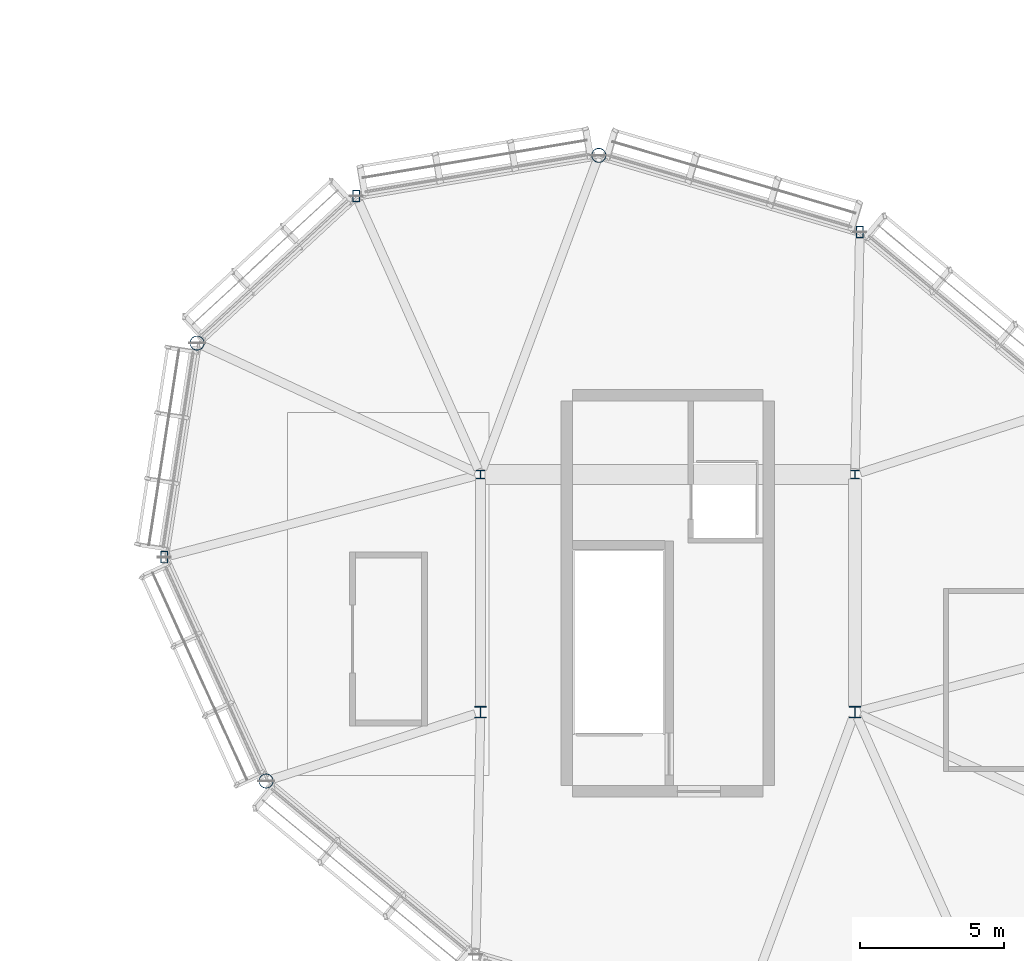
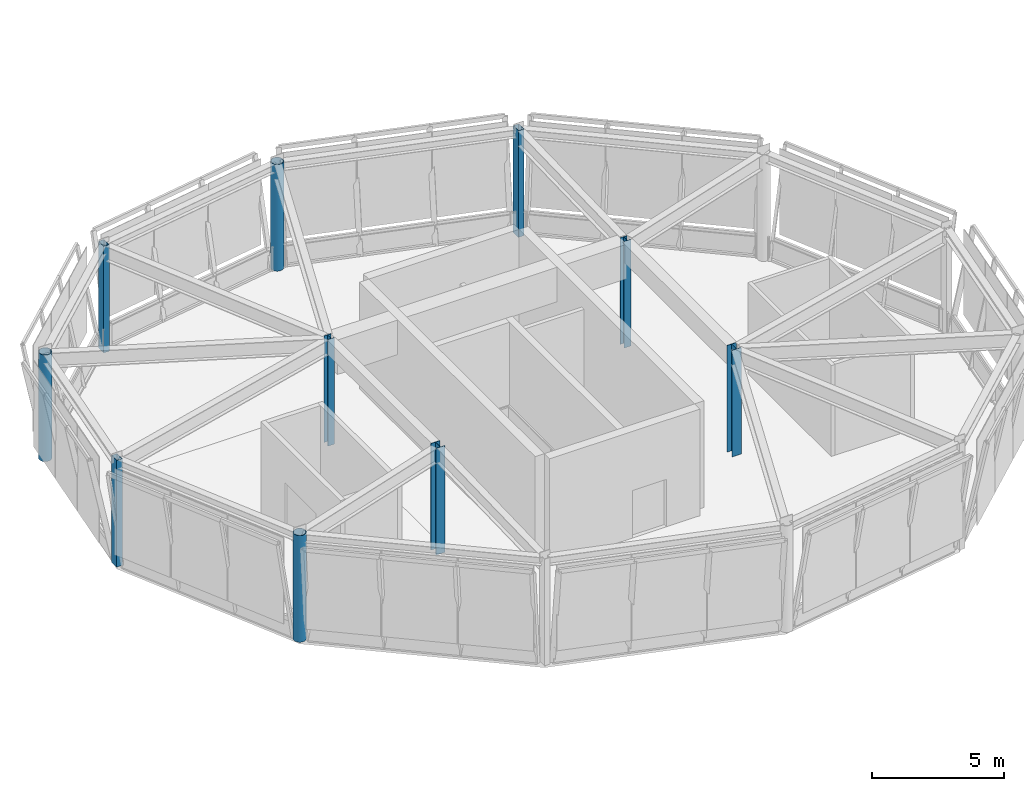
# One storey, part 9 of 113: 10 columns.
"""IFC4 building model written with IfcOpenShell, lengths in metres."""

from ifc_helpers import new_model, si_unit, direction, frame, origin, origin_2d, place, context, subcontext, project, spatial, hollow_rectangle, hollow_circle, i_section, extrude, material, material_profile, profile_set, type_object, element, save


model = new_model("IFC4")

# Units and contexts
model_context = context("Model", 3, precision=1e-05, world=origin(), true_north=direction((0.0, 1.0)))
body_context = subcontext(model_context, "Body", "Model", "MODEL_VIEW")
ifc_project = project(units=[si_unit("LENGTHUNIT", "METRE"), si_unit("AREAUNIT", "SQUARE_METRE"), si_unit("VOLUMEUNIT", "CUBIC_METRE"), si_unit("PLANEANGLEUNIT", "RADIAN"), si_unit("MASSUNIT", "GRAM", prefix="KILO")], contexts=[model_context])

# Site, building, storey
site_placement = place(None, origin())
site = spatial("IfcSite", under=ifc_project, at=site_placement, CompositionType="ELEMENT")
building_placement = place(site_placement, origin())
building = spatial("IfcBuilding", under=site, at=building_placement, Name="Linyun Crest Stadium", CompositionType="ELEMENT")
storey_placement = place(building_placement, frame((0.0, 0.0, 26.39990234375)))
storey = spatial("IfcBuildingStorey", under=building, at=storey_placement, Name="L06", CompositionType="ELEMENT", Elevation=26.39990234375)

# Columns
ifc_material_1 = material(Name="Steel Q355C", Category="steel")
ifc_material_profile_1 = material_profile(ifc_material_1, i_section(OverallWidth=0.39990234375, OverallDepth=0.39990234375, WebThickness=0.012939453125, FlangeThickness=0.02099609375, at=origin_2d()), Name="HW 400x400")
ifc_profile_set_1 = profile_set([ifc_material_profile_1], Name="Steel Q355C")
column_type_1 = type_object("IfcColumnType", Name="SC02", PredefinedType="COLUMN", material=ifc_profile_set_1)
for number, where, z_axis, x_axis, name in (
    (1, (-80.0, 80.5, 0.0), (0.0, 0.0, 1.0), (1.0, 0.0, 0.0), "Column SC02 L06 800"),
    (2, (-67.0, 80.5, 0.0), (0.0, 0.0, 1.0), (1.0, 0.0, 0.0), "Column SC02 L06 807"),
):
    element("IfcColumn", number, at=place(storey_placement, frame(where, z_axis=z_axis, x_axis=x_axis)), inside=storey, type_object=column_type_1, Name=name, PredefinedType="COLUMN", context=body_context, shape_type="SweptSolid", body=[
        extrude(i_section(OverallWidth=0.39990234375, OverallDepth=0.39990234375, WebThickness=0.012939453125, FlangeThickness=0.02099609375, at=origin_2d()), origin(), (0.0, 0.0, 1.0), 4.945068359375),
    ])
ifc_material_2 = material(Name="Steel Q355C", Category="steel")
ifc_material_profile_2 = material_profile(ifc_material_2, hollow_circle(Radius=0.25390625, WallThickness=0.02490234375, at=origin_2d()), Name="CHS 508x25")
ifc_profile_set_2 = profile_set([ifc_material_profile_2], Name="Steel Q355C")
column_type_2 = type_object("IfcColumnType", Name="SC05", PredefinedType="COLUMN", material=ifc_profile_set_2)
for number, where, z_axis, x_axis, name in (
    (3, (-75.89404296875, 99.825927734375, 0.0), (0.0, 0.0, 1.0), (1.0, 0.0, 0.0), "Pod perimeter column SC05 L06 965"),
    (4, (-89.8349609375, 93.31005859375, 0.0), (0.0, 0.0, 1.0), (1.0, 0.0, 0.0), "Pod perimeter column SC05 L06 973"),
    (5, (-87.44091796875, 78.110107421875, 0.0), (0.0, 0.0, 1.0), (1.0, 0.0, 0.0), "Pod perimeter column SC05 L06 981"),
):
    element("IfcColumn", number, at=place(storey_placement, frame(where, z_axis=z_axis, x_axis=x_axis)), inside=storey, type_object=column_type_2, Name=name, PredefinedType="COLUMN", context=body_context, shape_type="SweptSolid", body=[
        extrude(hollow_circle(Radius=0.25390625, WallThickness=0.02490234375, at=origin_2d()), origin(), (0.0, 0.0, 1.0), 4.945068359375),
    ])
ifc_material_3 = material(Name="Steel Q355C", Category="steel")
ifc_material_profile_3 = material_profile(ifc_material_3, hollow_rectangle(XDim=0.25, YDim=0.39990234375, WallThickness=0.01611328125, at=origin_2d()), Name="RHS 400x250x16")
ifc_profile_set_3 = profile_set([ifc_material_profile_3], Name="Steel Q355C")
column_type_3 = type_object("IfcColumnType", Name="SC06", PredefinedType="COLUMN", material=ifc_profile_set_3)
for number, where, z_axis, x_axis, name in (
    (6, (-66.833984375, 97.1630859375, 0.0), (0.0, 0.0, 1.0), (1.0, 0.0, 0.0), "Pod perimeter column SC06 L06 961"),
    (7, (-84.31298828125, 98.416015625, 0.0), (0.0, 0.0, 1.0), (1.0, 0.0, 0.0), "Pod perimeter column SC06 L06 969"),
    (8, (-90.97900390625, 85.8779296875, 0.0), (0.0, 0.0, 1.0), (1.0, 0.0, 0.0), "Pod perimeter column SC06 L06 977"),
):
    element("IfcColumn", number, at=place(storey_placement, frame(where, z_axis=z_axis, x_axis=x_axis)), inside=storey, type_object=column_type_3, Name=name, PredefinedType="COLUMN", context=body_context, shape_type="SweptSolid", body=[
        extrude(hollow_rectangle(XDim=0.25, YDim=0.39990234375, WallThickness=0.01611328125, at=origin_2d()), origin(), (0.0, 0.0, 1.0), 4.945068359375),
    ])
ifc_material_4 = material(Name="Steel Q355C", Category="steel")
ifc_material_profile_4 = material_profile(ifc_material_4, i_section(OverallWidth=0.300048828125, OverallDepth=0.300048828125, WebThickness=0.010009765625, FlangeThickness=0.014892578125, at=origin_2d()), Name="HW 300x300")
ifc_profile_set_4 = profile_set([ifc_material_profile_4], Name="Steel Q355C")
column_type_4 = type_object("IfcColumnType", Name="SC08", PredefinedType="COLUMN", material=ifc_profile_set_4)
for number, where, z_axis, x_axis, name in (
    (9, (-80.0, 88.75, 0.0), (0.0, 0.0, 1.0), (1.0, 0.0, 0.0), "Column SC08 L06 814"),
    (10, (-67.0, 88.75, 0.0), (0.0, 0.0, 1.0), (1.0, 0.0, 0.0), "Column SC08 L06 821"),
):
    element("IfcColumn", number, at=place(storey_placement, frame(where, z_axis=z_axis, x_axis=x_axis)), inside=storey, type_object=column_type_4, Name=name, PredefinedType="COLUMN", context=body_context, shape_type="SweptSolid", body=[
        extrude(i_section(OverallWidth=0.300048828125, OverallDepth=0.300048828125, WebThickness=0.010009765625, FlangeThickness=0.014892578125, at=origin_2d()), origin(), (0.0, 0.0, 1.0), 4.945068359375),
    ])

save(model, "model.ifc")
